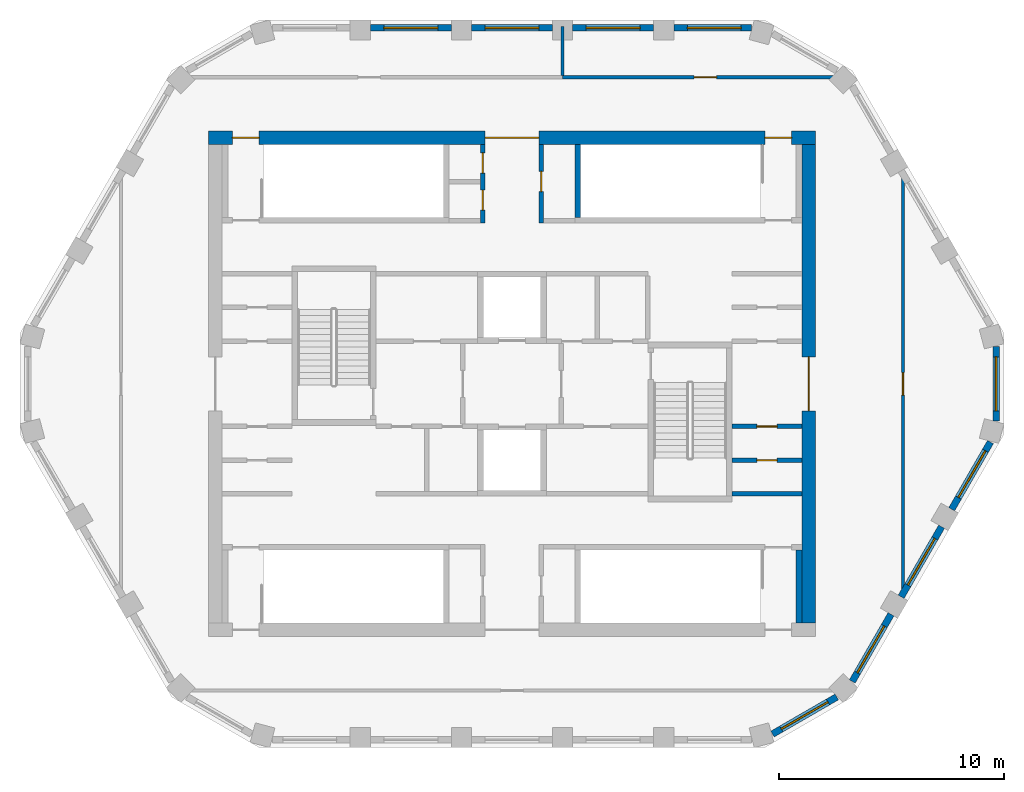
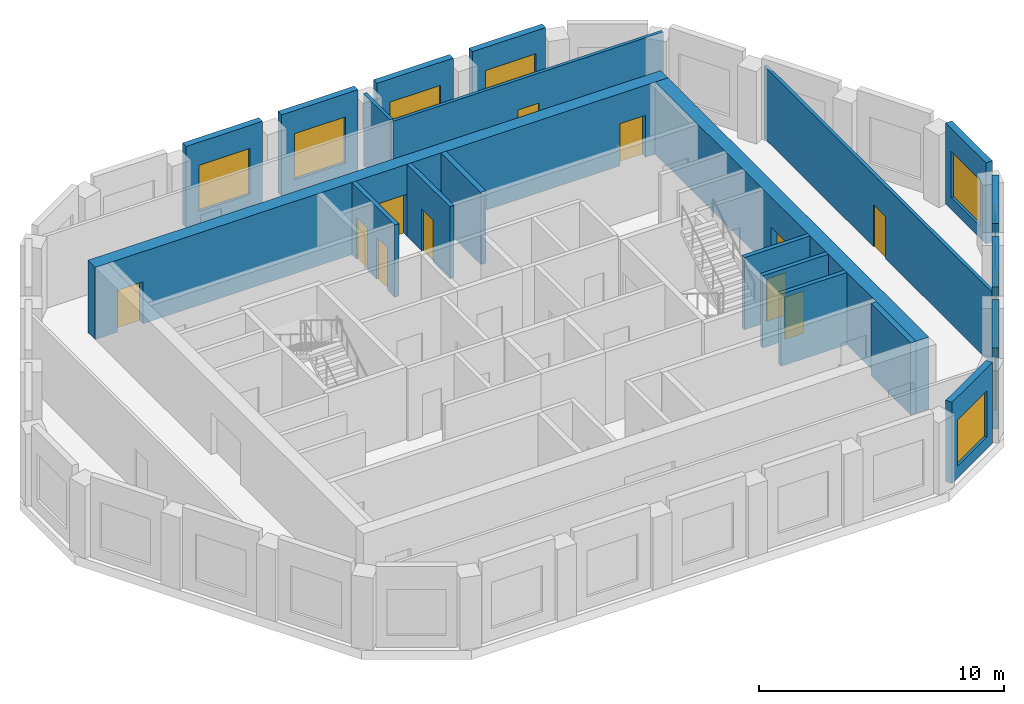
# One storey, part 4 of 6: 21 walls, 11 doors, 9 windows, 20 openings.
"""IFC4 building model written with IfcOpenShell, lengths in metres."""

from ifc_helpers import new_model, si_unit, direction, frame, frame_2d, origin, place, context, subcontext, project, spatial, rectangle, extrude, material, layer, layer_set, type_object, element, fill, save


model = new_model("IFC4")

# Units and contexts
model_context = context("Model", 3, precision=1e-05, world=origin(), true_north=direction((0.0, 1.0)))
body_context = subcontext(model_context, "Body", "Model", "MODEL_VIEW")
ifc_project = project(units=[si_unit("LENGTHUNIT", "METRE"), si_unit("AREAUNIT", "SQUARE_METRE"), si_unit("VOLUMEUNIT", "CUBIC_METRE"), si_unit("PLANEANGLEUNIT", "RADIAN"), si_unit("MASSUNIT", "GRAM", prefix="KILO")], contexts=[model_context])

# Site, building, storey
site_placement = place(None, origin())
site = spatial("IfcSite", under=ifc_project, at=site_placement, CompositionType="ELEMENT")
building_placement = place(site_placement, origin())
building = spatial("IfcBuilding", under=site, at=building_placement, Name="Dhurran Vertical Campus", CompositionType="ELEMENT")
storey_placement = place(building_placement, frame((0.0, 0.0, 318.89990234375)))
storey = spatial("IfcBuildingStorey", under=building, at=storey_placement, Name="L78 Plant", CompositionType="ELEMENT", Elevation=318.89990234375)

# Wall, opening, window
ifc_material_1 = material(Name="Precast concrete C50/60", Category="concrete")
ifc_layer_1 = layer(ifc_material_1, 0.300048828125)
ifc_layer_set_1 = layer_set([ifc_layer_1], Name="Precast concrete C50/60")
wall_type_1 = type_object("IfcWallType", Name="Precast louvre-bay wall 300", PredefinedType="SOLIDWALL", material=ifc_layer_set_1)
wall_1_placement = place(storey_placement, frame((11.5947265625, -15.588134765625, 0.0), z_axis=(0.0, 0.0, 1.0), x_axis=(0.866021716278, 0.500006386895, 0.0)))
wall_1 = element("IfcWall", 1, at=wall_1_placement, inside=storey, type_object=wall_type_1, Name="EW3 L78.05", PredefinedType="SOLIDWALL", context=body_context, shape_type="SweptSolid", body=[
    extrude(rectangle(XDim=3.2998046875, YDim=0.300048828125, at=frame_2d((1.64990234375, 0.0))), origin(), (0.0, 0.0, 1.0), 4.050048828125),
])
opening_1_placement = place(wall_1_placement, frame((0.449951171875, 0.0, 0.60009765625)))
opening_1 = element("IfcOpeningElement", 2, at=opening_1_placement, cuts=wall_1, Name="Opening WT4", PredefinedType="OPENING", context=body_context, shape_type="SweptSolid", body=[
    extrude(rectangle(XDim=2.39990234375, YDim=2.300048828125, at=frame_2d((1.199951171875, 1.14990234375))), frame((0.0, 0.159912109375, 0.0), z_axis=(0.0, -1.0, 0.0), x_axis=(1.0, 0.0, 0.0)), (0.0, 0.0, 1.0), 0.320068359375),
])
ifc_material_2 = material(Name="Aluminium louvre", Category="aluminium")
window_type = type_object("IfcWindowType", Name="Louvred plant vent 2400 x 2300", PartitioningType="SINGLE_PANEL", PredefinedType="WINDOW", material=ifc_material_2)
window_1_placement = place(opening_1_placement, origin())
window_1 = element("IfcWindow", 3, at=window_1_placement, inside=storey, type_object=window_type, Name="WT4 L78.05", OverallHeight=2.300048828125, OverallWidth=2.39990234375, PartitioningType="SINGLE_PANEL", PredefinedType="WINDOW", context=body_context, shape_type="SweptSolid", body=[
    extrude(rectangle(XDim=2.39990234375, YDim=2.300048828125, at=frame_2d((1.199951171875, 1.14990234375))), frame((0.0, 0.030029296875, 0.0), z_axis=(0.0, -1.0, 0.0), x_axis=(1.0, 0.0, 0.0)), (0.0, 0.0, 1.0), 0.06005859375),
])
fill(opening_1, window_1)

wall_2_placement = place(storey_placement, frame((15.14404296875, -13.24658203125, 0.0), z_axis=(0.0, 0.0, 1.0), x_axis=(0.500059425018, 0.865991092016, 0.0)))
wall_2 = element("IfcWall", 4, at=wall_2_placement, inside=storey, type_object=wall_type_1, Name="EW3 L78.06", PredefinedType="SOLIDWALL", context=body_context, shape_type="SweptSolid", body=[
    extrude(rectangle(XDim=3.44921875, YDim=0.300048828125, at=frame_2d((1.724609375, 0.0))), origin(), (0.0, 0.0, 1.0), 4.050048828125),
])
opening_2_placement = place(wall_2_placement, frame((0.449951171875, 0.0, 0.60009765625)))
opening_2 = element("IfcOpeningElement", 5, at=opening_2_placement, cuts=wall_2, Name="Opening WT4", PredefinedType="OPENING", context=body_context, shape_type="SweptSolid", body=[
    extrude(rectangle(XDim=2.39990234375, YDim=2.300048828125, at=frame_2d((1.199951171875, 1.14990234375))), frame((0.0, 0.159912109375, 0.0), z_axis=(0.0, -1.0, 0.0), x_axis=(1.0, 0.0, 0.0)), (0.0, 0.0, 1.0), 0.320068359375),
])
window_2_placement = place(opening_2_placement, origin())
window_2 = element("IfcWindow", 6, at=window_2_placement, inside=storey, type_object=window_type, Name="WT4 L78.06", OverallHeight=2.300048828125, OverallWidth=2.39990234375, PartitioningType="SINGLE_PANEL", PredefinedType="WINDOW", context=body_context, shape_type="SweptSolid", body=[
    extrude(rectangle(XDim=2.39990234375, YDim=2.300048828125, at=frame_2d((1.199951171875, 1.14990234375))), frame((0.0, 0.030029296875, 0.0), z_axis=(0.0, -1.0, 0.0), x_axis=(1.0, 0.0, 0.0)), (0.0, 0.0, 1.0), 0.06005859375),
])
fill(opening_2, window_2)

wall_3_placement = place(storey_placement, frame((17.3193359375, -9.47900390625, 0.0), z_axis=(0.0, 0.0, 1.0), x_axis=(0.500027802648, 0.866009351323, 0.0)))
wall_3 = element("IfcWall", 7, at=wall_3_placement, inside=storey, type_object=wall_type_1, Name="EW3 L78.07", PredefinedType="SOLIDWALL", context=body_context, shape_type="SweptSolid", body=[
    extrude(rectangle(XDim=3.598876953125, YDim=0.300048828125, at=frame_2d((1.79931640625, 0.0))), origin(), (0.0, 0.0, 1.0), 4.050048828125),
])
opening_3_placement = place(wall_3_placement, frame((0.599609375, 0.0, 0.60009765625)))
opening_3 = element("IfcOpeningElement", 8, at=opening_3_placement, cuts=wall_3, Name="Opening WT4", PredefinedType="OPENING", context=body_context, shape_type="SweptSolid", body=[
    extrude(rectangle(XDim=2.39990234375, YDim=2.300048828125, at=frame_2d((1.199951171875, 1.14990234375))), frame((0.0, 0.159912109375, 0.0), z_axis=(0.0, -1.0, 0.0), x_axis=(1.0, 0.0, 0.0)), (0.0, 0.0, 1.0), 0.320068359375),
])
window_3_placement = place(opening_3_placement, origin())
window_3 = element("IfcWindow", 9, at=window_3_placement, inside=storey, type_object=window_type, Name="WT4 L78.07", OverallHeight=2.300048828125, OverallWidth=2.39990234375, PartitioningType="SINGLE_PANEL", PredefinedType="WINDOW", context=body_context, shape_type="SweptSolid", body=[
    extrude(rectangle(XDim=2.39990234375, YDim=2.300048828125, at=frame_2d((1.199951171875, 1.14990234375))), frame((0.0, 0.030029296875, 0.0), z_axis=(0.0, -1.0, 0.0), x_axis=(1.0, 0.0, 0.0)), (0.0, 0.0, 1.0), 0.06005859375),
])
fill(opening_3, window_3)

wall_4_placement = place(storey_placement, frame((19.5693359375, -5.58203125, 0.0), z_axis=(0.0, 0.0, 1.0), x_axis=(0.499975693202, 0.866039436866, 0.0)))
wall_4 = element("IfcWall", 10, at=wall_4_placement, inside=storey, type_object=wall_type_1, Name="EW3 L78.08", PredefinedType="SOLIDWALL", context=body_context, shape_type="SweptSolid", body=[
    extrude(rectangle(XDim=3.449462890625, YDim=0.300048828125, at=frame_2d((1.724609375, 0.0))), origin(), (0.0, 0.0, 1.0), 4.050048828125),
])
opening_4_placement = place(wall_4_placement, frame((0.599609375, 0.0, 0.60009765625)))
opening_4 = element("IfcOpeningElement", 11, at=opening_4_placement, cuts=wall_4, Name="Opening WT4", PredefinedType="OPENING", context=body_context, shape_type="SweptSolid", body=[
    extrude(rectangle(XDim=2.39990234375, YDim=2.300048828125, at=frame_2d((1.199951171875, 1.14990234375))), frame((0.0, 0.159912109375, 0.0), z_axis=(0.0, -1.0, 0.0), x_axis=(1.0, 0.0, 0.0)), (0.0, 0.0, 1.0), 0.320068359375),
])
window_4_placement = place(opening_4_placement, origin())
window_4 = element("IfcWindow", 12, at=window_4_placement, inside=storey, type_object=window_type, Name="WT4 L78.08", OverallHeight=2.300048828125, OverallWidth=2.39990234375, PartitioningType="SINGLE_PANEL", PredefinedType="WINDOW", context=body_context, shape_type="SweptSolid", body=[
    extrude(rectangle(XDim=2.39990234375, YDim=2.300048828125, at=frame_2d((1.199951171875, 1.14990234375))), frame((0.0, 0.030029296875, 0.0), z_axis=(0.0, -1.0, 0.0), x_axis=(1.0, 0.0, 0.0)), (0.0, 0.0, 1.0), 0.06005859375),
])
fill(opening_4, window_4)

wall_5_placement = place(storey_placement, frame((21.547119140625, -1.64990234375, 0.0), z_axis=(0.0, 0.0, 1.0), x_axis=(0.0, 1.0, 0.0)))
wall_5 = element("IfcWall", 13, at=wall_5_placement, inside=storey, type_object=wall_type_1, Name="EW3 L78.09", PredefinedType="SOLIDWALL", context=body_context, shape_type="SweptSolid", body=[
    extrude(rectangle(XDim=3.2998046875, YDim=0.300048828125, at=frame_2d((1.64990234375, 0.0))), origin(), (0.0, 0.0, 1.0), 4.050048828125),
])
opening_5_placement = place(wall_5_placement, frame((0.449951171875, 0.0, 0.60009765625)))
opening_5 = element("IfcOpeningElement", 14, at=opening_5_placement, cuts=wall_5, Name="Opening WT4", PredefinedType="OPENING", context=body_context, shape_type="SweptSolid", body=[
    extrude(rectangle(XDim=2.39990234375, YDim=2.300048828125, at=frame_2d((1.199951171875, 1.14990234375))), frame((0.0, 0.159912109375, 0.0), z_axis=(0.0, -1.0, 0.0), x_axis=(1.0, 0.0, 0.0)), (0.0, 0.0, 1.0), 0.320068359375),
])
window_5_placement = place(opening_5_placement, origin())
window_5 = element("IfcWindow", 15, at=window_5_placement, inside=storey, type_object=window_type, Name="WT4 L78.09", OverallHeight=2.300048828125, OverallWidth=2.39990234375, PartitioningType="SINGLE_PANEL", PredefinedType="WINDOW", context=body_context, shape_type="SweptSolid", body=[
    extrude(rectangle(XDim=2.39990234375, YDim=2.300048828125, at=frame_2d((1.199951171875, 1.14990234375))), frame((0.0, 0.030029296875, 0.0), z_axis=(0.0, -1.0, 0.0), x_axis=(1.0, 0.0, 0.0)), (0.0, 0.0, 1.0), 0.06005859375),
])
fill(opening_5, window_5)

wall_6_placement = place(storey_placement, frame((10.64990234375, 15.84130859375, 0.0), z_axis=(0.0, 0.0, 1.0), x_axis=(-1.0, 0.0, 0.0)))
wall_6 = element("IfcWall", 16, at=wall_6_placement, inside=storey, type_object=wall_type_1, Name="EW3 L78.14", PredefinedType="SOLIDWALL", context=body_context, shape_type="SweptSolid", body=[
    extrude(rectangle(XDim=3.449462890625, YDim=0.300048828125, at=frame_2d((1.724609375, 0.0))), origin(), (0.0, 0.0, 1.0), 4.050048828125),
])
opening_6_placement = place(wall_6_placement, frame((0.449951171875, 0.0, 0.60009765625)))
opening_6 = element("IfcOpeningElement", 17, at=opening_6_placement, cuts=wall_6, Name="Opening WT4", PredefinedType="OPENING", context=body_context, shape_type="SweptSolid", body=[
    extrude(rectangle(XDim=2.39990234375, YDim=2.300048828125, at=frame_2d((1.199951171875, 1.14990234375))), frame((0.0, 0.159912109375, 0.0), z_axis=(0.0, -1.0, 0.0), x_axis=(1.0, 0.0, 0.0)), (0.0, 0.0, 1.0), 0.320068359375),
])
window_6_placement = place(opening_6_placement, origin())
window_6 = element("IfcWindow", 18, at=window_6_placement, inside=storey, type_object=window_type, Name="WT4 L78.14", OverallHeight=2.300048828125, OverallWidth=2.39990234375, PartitioningType="SINGLE_PANEL", PredefinedType="WINDOW", context=body_context, shape_type="SweptSolid", body=[
    extrude(rectangle(XDim=2.39990234375, YDim=2.300048828125, at=frame_2d((1.199951171875, 1.14990234375))), frame((0.0, 0.030029296875, 0.0), z_axis=(0.0, -1.0, 0.0), x_axis=(1.0, 0.0, 0.0)), (0.0, 0.0, 1.0), 0.06005859375),
])
fill(opening_6, window_6)

wall_7_placement = place(storey_placement, frame((6.299560546875, 15.84130859375, 0.0), z_axis=(0.0, 0.0, 1.0), x_axis=(-1.0, 0.0, 0.0)))
wall_7 = element("IfcWall", 19, at=wall_7_placement, inside=storey, type_object=wall_type_1, Name="EW3 L78.15", PredefinedType="SOLIDWALL", context=body_context, shape_type="SweptSolid", body=[
    extrude(rectangle(XDim=3.59912109375, YDim=0.300048828125, at=frame_2d((1.799560546875, 0.0))), origin(), (0.0, 0.0, 1.0), 4.050048828125),
])
opening_7_placement = place(wall_7_placement, frame((0.599609375, 0.0, 0.60009765625)))
opening_7 = element("IfcOpeningElement", 20, at=opening_7_placement, cuts=wall_7, Name="Opening WT4", PredefinedType="OPENING", context=body_context, shape_type="SweptSolid", body=[
    extrude(rectangle(XDim=2.39990234375, YDim=2.300048828125, at=frame_2d((1.199951171875, 1.14990234375))), frame((0.0, 0.159912109375, 0.0), z_axis=(0.0, -1.0, 0.0), x_axis=(1.0, 0.0, 0.0)), (0.0, 0.0, 1.0), 0.320068359375),
])
window_7_placement = place(opening_7_placement, origin())
window_7 = element("IfcWindow", 21, at=window_7_placement, inside=storey, type_object=window_type, Name="WT4 L78.15", OverallHeight=2.300048828125, OverallWidth=2.39990234375, PartitioningType="SINGLE_PANEL", PredefinedType="WINDOW", context=body_context, shape_type="SweptSolid", body=[
    extrude(rectangle(XDim=2.39990234375, YDim=2.300048828125, at=frame_2d((1.199951171875, 1.14990234375))), frame((0.0, 0.030029296875, 0.0), z_axis=(0.0, -1.0, 0.0), x_axis=(1.0, 0.0, 0.0)), (0.0, 0.0, 1.0), 0.06005859375),
])
fill(opening_7, window_7)

wall_8_placement = place(storey_placement, frame((1.799560546875, 15.84130859375, 0.0), z_axis=(0.0, 0.0, 1.0), x_axis=(-1.0, 0.0, 0.0)))
wall_8 = element("IfcWall", 22, at=wall_8_placement, inside=storey, type_object=wall_type_1, Name="EW3 L78.16", PredefinedType="SOLIDWALL", context=body_context, shape_type="SweptSolid", body=[
    extrude(rectangle(XDim=3.59912109375, YDim=0.300048828125, at=frame_2d((1.799560546875, 0.0))), origin(), (0.0, 0.0, 1.0), 4.050048828125),
])
opening_8_placement = place(wall_8_placement, frame((0.599609375, 0.0, 0.60009765625)))
opening_8 = element("IfcOpeningElement", 23, at=opening_8_placement, cuts=wall_8, Name="Opening WT4", PredefinedType="OPENING", context=body_context, shape_type="SweptSolid", body=[
    extrude(rectangle(XDim=2.39990234375, YDim=2.300048828125, at=frame_2d((1.199951171875, 1.14990234375))), frame((0.0, 0.159912109375, 0.0), z_axis=(0.0, -1.0, 0.0), x_axis=(1.0, 0.0, 0.0)), (0.0, 0.0, 1.0), 0.320068359375),
])
window_8_placement = place(opening_8_placement, origin())
window_8 = element("IfcWindow", 24, at=window_8_placement, inside=storey, type_object=window_type, Name="WT4 L78.16", OverallHeight=2.300048828125, OverallWidth=2.39990234375, PartitioningType="SINGLE_PANEL", PredefinedType="WINDOW", context=body_context, shape_type="SweptSolid", body=[
    extrude(rectangle(XDim=2.39990234375, YDim=2.300048828125, at=frame_2d((1.199951171875, 1.14990234375))), frame((0.0, 0.030029296875, 0.0), z_axis=(0.0, -1.0, 0.0), x_axis=(1.0, 0.0, 0.0)), (0.0, 0.0, 1.0), 0.06005859375),
])
fill(opening_8, window_8)

wall_9_placement = place(storey_placement, frame((-2.700439453125, 15.84130859375, 0.0), z_axis=(0.0, 0.0, 1.0), x_axis=(-1.0, 0.0, 0.0)))
wall_9 = element("IfcWall", 25, at=wall_9_placement, inside=storey, type_object=wall_type_1, Name="EW3 L78.17", PredefinedType="SOLIDWALL", context=body_context, shape_type="SweptSolid", body=[
    extrude(rectangle(XDim=3.59912109375, YDim=0.300048828125, at=frame_2d((1.799560546875, 0.0))), origin(), (0.0, 0.0, 1.0), 4.050048828125),
])
opening_9_placement = place(wall_9_placement, frame((0.599609375, 0.0, 0.60009765625)))
opening_9 = element("IfcOpeningElement", 26, at=opening_9_placement, cuts=wall_9, Name="Opening WT4", PredefinedType="OPENING", context=body_context, shape_type="SweptSolid", body=[
    extrude(rectangle(XDim=2.39990234375, YDim=2.300048828125, at=frame_2d((1.199951171875, 1.14990234375))), frame((0.0, 0.159912109375, 0.0), z_axis=(0.0, -1.0, 0.0), x_axis=(1.0, 0.0, 0.0)), (0.0, 0.0, 1.0), 0.320068359375),
])
window_9_placement = place(opening_9_placement, origin())
window_9 = element("IfcWindow", 27, at=window_9_placement, inside=storey, type_object=window_type, Name="WT4 L78.17", OverallHeight=2.300048828125, OverallWidth=2.39990234375, PartitioningType="SINGLE_PANEL", PredefinedType="WINDOW", context=body_context, shape_type="SweptSolid", body=[
    extrude(rectangle(XDim=2.39990234375, YDim=2.300048828125, at=frame_2d((1.199951171875, 1.14990234375))), frame((0.0, 0.030029296875, 0.0), z_axis=(0.0, -1.0, 0.0), x_axis=(1.0, 0.0, 0.0)), (0.0, 0.0, 1.0), 0.06005859375),
])
fill(opening_9, window_9)

# Wall, openings, doors
ifc_material_3 = material(Name="Concrete C50/60", Category="concrete")
ifc_layer_2 = layer(ifc_material_3, 0.60009765625)
ifc_layer_set_2 = layer_set([ifc_layer_2], Name="Concrete C50/60")
wall_type_2 = type_object("IfcWallType", Name="co-CORE-WALL-C2-600", PredefinedType="SHEAR", material=ifc_layer_set_2)
wall_10_placement = place(storey_placement, frame((-13.5, 10.949951171875, 0.0), z_axis=(0.0, 0.0, 1.0), x_axis=(1.0, 0.0, 0.0)))
wall_10 = element("IfcWall", 28, at=wall_10_placement, inside=storey, type_object=wall_type_2, Name="Core wall N L78", PredefinedType="SHEAR", context=body_context, shape_type="SweptSolid", body=[
    extrude(rectangle(XDim=27.0, YDim=0.60009765625, at=frame_2d((13.5, 0.0))), origin(), (0.0, 0.0, 1.0), 3.60009765625),
])
opening_10_placement = place(wall_10_placement, frame((12.300048828125, 0.0, 0.0)))
opening_10 = element("IfcOpeningElement", 29, at=opening_10_placement, cuts=wall_10, Name="Opening CV1", PredefinedType="OPENING", context=body_context, shape_type="SweptSolid", body=[
    extrude(rectangle(XDim=2.39990234375, YDim=2.10009765625, at=frame_2d((1.199951171875, 1.050048828125))), frame((0.0, 0.31005859375, 0.0), z_axis=(0.0, -1.0, 0.0), x_axis=(1.0, 0.0, 0.0)), (0.0, 0.0, 1.0), 0.6201171875),
])
opening_11_placement = place(wall_10_placement, frame((1.050048828125, 0.0, 0.0)))
opening_11 = element("IfcOpeningElement", 30, at=opening_11_placement, cuts=wall_10, Name="Opening XD1", PredefinedType="OPENING", context=body_context, shape_type="SweptSolid", body=[
    extrude(rectangle(XDim=1.199951171875, YDim=2.10009765625, at=frame_2d((0.60009765625, 1.050048828125))), frame((0.0, 0.31005859375, 0.0), z_axis=(0.0, -1.0, 0.0), x_axis=(1.0, 0.0, 0.0)), (0.0, 0.0, 1.0), 0.6201171875),
])
opening_12_placement = place(wall_10_placement, frame((24.75, 0.0, 0.0)))
opening_12 = element("IfcOpeningElement", 31, at=opening_12_placement, cuts=wall_10, Name="Opening XD2", PredefinedType="OPENING", context=body_context, shape_type="SweptSolid", body=[
    extrude(rectangle(XDim=1.199951171875, YDim=2.10009765625, at=frame_2d((0.60009765625, 1.050048828125))), frame((0.0, 0.31005859375, 0.0), z_axis=(0.0, -1.0, 0.0), x_axis=(1.0, 0.0, 0.0)), (0.0, 0.0, 1.0), 0.6201171875),
])
ifc_material_4 = material(Name="Fire-rated glazed door set")
door_type_1 = type_object("IfcDoorType", Name="co-D-LOBBY 2400x2100", OperationType="DOUBLE_DOOR_DOUBLE_SWING", PredefinedType="DOOR", material=ifc_material_4)
door_1_placement = place(opening_10_placement, origin())
door_1 = element("IfcDoor", 32, at=door_1_placement, inside=storey, type_object=door_type_1, Name="Core vestibule door N L78", OperationType="DOUBLE_DOOR_DOUBLE_SWING", OverallHeight=2.10009765625, OverallWidth=2.39990234375, PredefinedType="DOOR", context=body_context, shape_type="SweptSolid", body=[
    extrude(rectangle(XDim=2.39990234375, YDim=2.10009765625, at=frame_2d((1.199951171875, 1.050048828125))), frame((0.0, 0.02490234375, 0.0), z_axis=(0.0, -1.0, 0.0), x_axis=(1.0, 0.0, 0.0)), (0.0, 0.0, 1.0), 0.050048828125),
])
fill(opening_10, door_1)
ifc_material_5 = material(Name="Fire-rated steel door set", Category="steel")
door_type_2 = type_object("IfcDoorType", Name="co-D-STAIR-EXIT 1200x2100", OperationType="SINGLE_SWING_RIGHT", PredefinedType="DOOR", material=ifc_material_5)
door_2_placement = place(opening_11_placement, origin())
door_2 = element("IfcDoor", 33, at=door_2_placement, inside=storey, type_object=door_type_2, Name="Stair ST1 exit door L78", OperationType="SINGLE_SWING_RIGHT", OverallHeight=2.10009765625, OverallWidth=1.199951171875, PredefinedType="DOOR", context=body_context, shape_type="SweptSolid", body=[
    extrude(rectangle(XDim=1.199951171875, YDim=2.10009765625, at=frame_2d((0.60009765625, 1.050048828125))), frame((0.0, 0.02490234375, 0.0), z_axis=(0.0, -1.0, 0.0), x_axis=(1.0, 0.0, 0.0)), (0.0, 0.0, 1.0), 0.050048828125),
])
fill(opening_11, door_2)
door_3_placement = place(opening_12_placement, origin())
door_3 = element("IfcDoor", 34, at=door_3_placement, inside=storey, type_object=door_type_2, Name="Stair ST2 exit door L78", OperationType="SINGLE_SWING_RIGHT", OverallHeight=2.10009765625, OverallWidth=1.199951171875, PredefinedType="DOOR", context=body_context, shape_type="SweptSolid", body=[
    extrude(rectangle(XDim=1.199951171875, YDim=2.10009765625, at=frame_2d((0.60009765625, 1.050048828125))), frame((0.0, 0.02490234375, 0.0), z_axis=(0.0, -1.0, 0.0), x_axis=(1.0, 0.0, 0.0)), (0.0, 0.0, 1.0), 0.050048828125),
])
fill(opening_12, door_3)

# Wall, opening, door
wall_11_placement = place(storey_placement, frame((13.199951171875, -10.64990234375, 0.0), z_axis=(0.0, 0.0, 1.0), x_axis=(0.0, 1.0, 0.0)))
wall_11 = element("IfcWall", 35, at=wall_11_placement, inside=storey, type_object=wall_type_2, Name="Core wall E L78", PredefinedType="SHEAR", context=body_context, shape_type="SweptSolid", body=[
    extrude(rectangle(XDim=21.2998046875, YDim=0.60009765625, at=frame_2d((10.64990234375, 0.0))), origin(), (0.0, 0.0, 1.0), 3.60009765625),
])
opening_13_placement = place(wall_11_placement, frame((9.449951171875, 0.0, 0.0)))
opening_13 = element("IfcOpeningElement", 36, at=opening_13_placement, cuts=wall_11, Name="Opening CL2", PredefinedType="OPENING", context=body_context, shape_type="SweptSolid", body=[
    extrude(rectangle(XDim=2.39990234375, YDim=2.10009765625, at=frame_2d((1.199951171875, 1.050048828125))), frame((0.0, 0.31005859375, 0.0), z_axis=(0.0, -1.0, 0.0), x_axis=(1.0, 0.0, 0.0)), (0.0, 0.0, 1.0), 0.6201171875),
])
door_4_placement = place(opening_13_placement, origin())
door_4 = element("IfcDoor", 37, at=door_4_placement, inside=storey, type_object=door_type_1, Name="Lift lobby door E L78", OperationType="DOUBLE_DOOR_DOUBLE_SWING", OverallHeight=2.10009765625, OverallWidth=2.39990234375, PredefinedType="DOOR", context=body_context, shape_type="SweptSolid", body=[
    extrude(rectangle(XDim=2.39990234375, YDim=2.10009765625, at=frame_2d((1.199951171875, 1.050048828125))), frame((0.0, 0.02490234375, 0.0), z_axis=(0.0, -1.0, 0.0), x_axis=(1.0, 0.0, 0.0)), (0.0, 0.0, 1.0), 0.050048828125),
])
fill(opening_13, door_4)

# Wall, openings, doors
ifc_material_6 = material(Name="Fire-rated masonry blockwork", Category="masonry")
ifc_layer_3 = layer(ifc_material_6, 0.199951171875)
ifc_layer_set_3 = layer_set([ifc_layer_3], Name="Fire-rated masonry blockwork")
wall_type_3 = type_object("IfcWallType", Name="co-FIRE-PARTITION-200", PredefinedType="PARTITIONING", material=ifc_layer_set_3)
wall_12_placement = place(storey_placement, frame((-1.300048828125, 7.14990234375, 0.0), z_axis=(0.0, 0.0, 1.0), x_axis=(0.0, 1.0, 0.0)))
wall_12 = element("IfcWall", 38, at=wall_12_placement, inside=storey, type_object=wall_type_3, Name="Core partition vest-NW L78", PredefinedType="PARTITIONING", context=body_context, shape_type="SweptSolid", body=[
    extrude(rectangle(XDim=3.5, YDim=0.199951171875, at=frame_2d((1.75, 0.0))), origin(), (0.0, 0.0, 1.0), 3.60009765625),
])
opening_14_placement = place(wall_12_placement, frame((0.574951171875, 0.0, 0.0)))
opening_14 = element("IfcOpeningElement", 39, at=opening_14_placement, cuts=wall_12, Name="Opening CR78-C3", PredefinedType="OPENING", context=body_context, shape_type="SweptSolid", body=[
    extrude(rectangle(XDim=0.89990234375, YDim=2.10009765625, at=frame_2d((0.449951171875, 1.050048828125))), frame((0.0, 0.10986328125, 0.0), z_axis=(0.0, -1.0, 0.0), x_axis=(1.0, 0.0, 0.0)), (0.0, 0.0, 1.0), 0.219970703125),
])
opening_15_placement = place(wall_12_placement, frame((2.22509765625, 0.0, 0.0)))
opening_15 = element("IfcOpeningElement", 40, at=opening_15_placement, cuts=wall_12, Name="Opening CR78-C4", PredefinedType="OPENING", context=body_context, shape_type="SweptSolid", body=[
    extrude(rectangle(XDim=0.89990234375, YDim=2.10009765625, at=frame_2d((0.449951171875, 1.050048828125))), frame((0.0, 0.10986328125, 0.0), z_axis=(0.0, -1.0, 0.0), x_axis=(1.0, 0.0, 0.0)), (0.0, 0.0, 1.0), 0.219970703125),
])
ifc_material_7 = material(Name="Fire-rated timber door set", Category="wood")
door_type_3 = type_object("IfcDoorType", Name="co-D-ROOM 900x2100", OperationType="SINGLE_SWING_LEFT", PredefinedType="DOOR", material=ifc_material_7)
door_5_placement = place(opening_14_placement, origin())
door_5 = element("IfcDoor", 41, at=door_5_placement, inside=storey, type_object=door_type_3, Name="Store door L78", OperationType="SINGLE_SWING_LEFT", OverallHeight=2.10009765625, OverallWidth=0.89990234375, PredefinedType="DOOR", context=body_context, shape_type="SweptSolid", body=[
    extrude(rectangle(XDim=0.89990234375, YDim=2.10009765625, at=frame_2d((0.449951171875, 1.050048828125))), frame((0.0, 0.02490234375, 0.0), z_axis=(0.0, -1.0, 0.0), x_axis=(1.0, 0.0, 0.0)), (0.0, 0.0, 1.0), 0.050048828125),
])
fill(opening_14, door_5)
door_6_placement = place(opening_15_placement, origin())
door_6 = element("IfcDoor", 42, at=door_6_placement, inside=storey, type_object=door_type_3, Name="Communications room door L78", OperationType="SINGLE_SWING_LEFT", OverallHeight=2.10009765625, OverallWidth=0.89990234375, PredefinedType="DOOR", context=body_context, shape_type="SweptSolid", body=[
    extrude(rectangle(XDim=0.89990234375, YDim=2.10009765625, at=frame_2d((0.449951171875, 1.050048828125))), frame((0.0, 0.02490234375, 0.0), z_axis=(0.0, -1.0, 0.0), x_axis=(1.0, 0.0, 0.0)), (0.0, 0.0, 1.0), 0.050048828125),
])
fill(opening_15, door_6)

# Wall, opening, door
wall_13_placement = place(storey_placement, frame((1.300048828125, 7.14990234375, 0.0), z_axis=(0.0, 0.0, 1.0), x_axis=(0.0, 1.0, 0.0)))
wall_13 = element("IfcWall", 43, at=wall_13_placement, inside=storey, type_object=wall_type_3, Name="Core partition vest-NE L78", PredefinedType="PARTITIONING", context=body_context, shape_type="SweptSolid", body=[
    extrude(rectangle(XDim=3.5, YDim=0.199951171875, at=frame_2d((1.75, 0.0))), origin(), (0.0, 0.0, 1.0), 3.60009765625),
])
opening_16_placement = place(wall_13_placement, frame((1.39990234375, 0.0, 0.0)))
opening_16 = element("IfcOpeningElement", 44, at=opening_16_placement, cuts=wall_13, Name="Opening CR78-C5", PredefinedType="OPENING", context=body_context, shape_type="SweptSolid", body=[
    extrude(rectangle(XDim=0.89990234375, YDim=2.10009765625, at=frame_2d((0.449951171875, 1.050048828125))), frame((0.0, 0.10986328125, 0.0), z_axis=(0.0, -1.0, 0.0), x_axis=(1.0, 0.0, 0.0)), (0.0, 0.0, 1.0), 0.219970703125),
])
door_7_placement = place(opening_16_placement, origin())
door_7 = element("IfcDoor", 45, at=door_7_placement, inside=storey, type_object=door_type_3, Name="Waste room door L78", OperationType="SINGLE_SWING_LEFT", OverallHeight=2.10009765625, OverallWidth=0.89990234375, PredefinedType="DOOR", context=body_context, shape_type="SweptSolid", body=[
    extrude(rectangle(XDim=0.89990234375, YDim=2.10009765625, at=frame_2d((0.449951171875, 1.050048828125))), frame((0.0, 0.02490234375, 0.0), z_axis=(0.0, -1.0, 0.0), x_axis=(1.0, 0.0, 0.0)), (0.0, 0.0, 1.0), 0.050048828125),
])
fill(opening_16, door_7)

wall_14_placement = place(storey_placement, frame((9.800048828125, -3.39990234375, 0.0), z_axis=(0.0, 0.0, 1.0), x_axis=(1.0, 0.0, 0.0)))
wall_14 = element("IfcWall", 46, at=wall_14_placement, inside=storey, type_object=wall_type_3, Name="Core partition fr-S3-c L78", PredefinedType="PARTITIONING", context=body_context, shape_type="SweptSolid", body=[
    extrude(rectangle(XDim=3.099853515625, YDim=0.199951171875, at=frame_2d((1.5498046875, 0.0))), origin(), (0.0, 0.0, 1.0), 3.60009765625),
])
opening_17_placement = place(wall_14_placement, frame((1.10009765625, 0.0, 0.0)))
opening_17 = element("IfcOpeningElement", 47, at=opening_17_placement, cuts=wall_14, Name="Opening CR78-C18", PredefinedType="OPENING", context=body_context, shape_type="SweptSolid", body=[
    extrude(rectangle(XDim=0.89990234375, YDim=2.10009765625, at=frame_2d((0.449951171875, 1.050048828125))), frame((0.0, 0.10986328125, 0.0), z_axis=(0.0, -1.0, 0.0), x_axis=(1.0, 0.0, 0.0)), (0.0, 0.0, 1.0), 0.219970703125),
])
door_8_placement = place(opening_17_placement, origin())
door_8 = element("IfcDoor", 48, at=door_8_placement, inside=storey, type_object=door_type_3, Name="Plant room door L78", OperationType="SINGLE_SWING_LEFT", OverallHeight=2.10009765625, OverallWidth=0.89990234375, PredefinedType="DOOR", context=body_context, shape_type="SweptSolid", body=[
    extrude(rectangle(XDim=0.89990234375, YDim=2.10009765625, at=frame_2d((0.449951171875, 1.050048828125))), frame((0.0, 0.02490234375, 0.0), z_axis=(0.0, -1.0, 0.0), x_axis=(1.0, 0.0, 0.0)), (0.0, 0.0, 1.0), 0.050048828125),
])
fill(opening_17, door_8)

wall_15_placement = place(storey_placement, frame((9.800048828125, -1.89990234375, 0.0), z_axis=(0.0, 0.0, 1.0), x_axis=(1.0, 0.0, 0.0)))
wall_15 = element("IfcWall", 49, at=wall_15_placement, inside=storey, type_object=wall_type_3, Name="Core partition fr-S3-f L78", PredefinedType="PARTITIONING", context=body_context, shape_type="SweptSolid", body=[
    extrude(rectangle(XDim=3.099853515625, YDim=0.199951171875, at=frame_2d((1.5498046875, 0.0))), origin(), (0.0, 0.0, 1.0), 3.60009765625),
])
opening_18_placement = place(wall_15_placement, frame((1.10009765625, 0.0, 0.0)))
opening_18 = element("IfcOpeningElement", 50, at=opening_18_placement, cuts=wall_15, Name="Opening CR78-C19", PredefinedType="OPENING", context=body_context, shape_type="SweptSolid", body=[
    extrude(rectangle(XDim=0.89990234375, YDim=2.10009765625, at=frame_2d((0.449951171875, 1.050048828125))), frame((0.0, 0.10986328125, 0.0), z_axis=(0.0, -1.0, 0.0), x_axis=(1.0, 0.0, 0.0)), (0.0, 0.0, 1.0), 0.219970703125),
])
door_9_placement = place(opening_18_placement, origin())
door_9 = element("IfcDoor", 51, at=door_9_placement, inside=storey, type_object=door_type_3, Name="Communications room door L78", OperationType="SINGLE_SWING_LEFT", OverallHeight=2.10009765625, OverallWidth=0.89990234375, PredefinedType="DOOR", context=body_context, shape_type="SweptSolid", body=[
    extrude(rectangle(XDim=0.89990234375, YDim=2.10009765625, at=frame_2d((0.449951171875, 1.050048828125))), frame((0.0, 0.02490234375, 0.0), z_axis=(0.0, -1.0, 0.0), x_axis=(1.0, 0.0, 0.0)), (0.0, 0.0, 1.0), 0.050048828125),
])
fill(opening_18, door_9)

# Walls
wall_16_placement = place(storey_placement, frame((9.800048828125, -4.89990234375, 0.0), z_axis=(0.0, 0.0, 1.0), x_axis=(1.0, 0.0, 0.0)))
element("IfcWall", 52, at=wall_16_placement, inside=storey, type_object=wall_type_3, Name="Core partition fr-S3-b L78", PredefinedType="PARTITIONING", context=body_context, shape_type="SweptSolid", body=[
    extrude(rectangle(XDim=3.099853515625, YDim=0.199951171875, at=frame_2d((1.5498046875, 0.0))), origin(), (0.0, 0.0, 1.0), 3.60009765625),
])
ifc_material_8 = material(Name="Concrete C40/50", Category="concrete")
ifc_layer_4 = layer(ifc_material_8, 0.25)
ifc_layer_set_4 = layer_set([ifc_layer_4], Name="Concrete C40/50")
wall_type_4 = type_object("IfcWallType", Name="co-STAIR-WALL-250", PredefinedType="SHEAR", material=ifc_layer_set_4)
for number, where, z_axis, x_axis, name in (
    (53, (2.925048828125, 7.39990234375, 0.0), (0.0, 0.0, 1.0), (0.0, 1.0, 0.0), "Stair ST2 enclosure wall L78"),
    (54, (12.77490234375, -10.64990234375, 0.0), (0.0, 0.0, 1.0), (0.0, 1.0, 0.0), "Stair ST4 enclosure wall L78"),
):
    element("IfcWall", number, at=place(storey_placement, frame(where, z_axis=z_axis, x_axis=x_axis)), inside=storey, type_object=wall_type_4, Name=name, PredefinedType="SHEAR", context=body_context, shape_type="SweptSolid", body=[
        extrude(rectangle(XDim=3.25, YDim=0.25, at=frame_2d((1.625, 0.0))), origin(), (0.0, 0.0, 1.0), 3.60009765625),
    ])

# Wall, opening, door
ifc_material_9 = material(Name="Gypsum board corridor wall on steel studs", Category="steel")
ifc_layer_5 = layer(ifc_material_9, 0.14990234375)
ifc_layer_set_5 = layer_set([ifc_layer_5], Name="Gypsum board corridor wall on steel studs")
wall_type_5 = type_object("IfcWallType", Name="fl-CW-150 corridor wall", PredefinedType="PARTITIONING", material=ifc_layer_set_5)
wall_17_placement = place(storey_placement, frame((14.968994140625, 13.64990234375, 0.0), z_axis=(0.0, 0.0, 1.0), x_axis=(-1.0, 0.0, 0.0)))
wall_17 = element("IfcWall", 55, at=wall_17_placement, inside=storey, type_object=wall_type_5, Name="Partition 78-05", PredefinedType="PARTITIONING", context=body_context, shape_type="SweptSolid", body=[
    extrude(rectangle(XDim=12.718994140625, YDim=0.14990234375, at=frame_2d((6.359375, 0.0))), origin(), (0.0, 0.0, 1.0), 3.60009765625),
])
opening_19_placement = place(wall_17_placement, frame((5.859619140625, 0.0, 0.0)))
opening_19 = element("IfcOpeningElement", 56, at=opening_19_placement, cuts=wall_17, Name="Opening CR78.04", PredefinedType="OPENING", context=body_context, shape_type="SweptSolid", body=[
    extrude(rectangle(XDim=1.0, YDim=2.10009765625, at=frame_2d((0.5, 1.050048828125))), frame((0.0, 0.0849609375, 0.0), z_axis=(0.0, -1.0, 0.0), x_axis=(1.0, 0.0, 0.0)), (0.0, 0.0, 1.0), 0.169921875),
])
ifc_material_10 = material(Name="Solid-core timber door set, fire-rated", Category="wood")
door_type_4 = type_object("IfcDoorType", Name="fl-D-1000x2100", OperationType="SINGLE_SWING_LEFT", PredefinedType="DOOR", material=ifc_material_10)
door_10_placement = place(opening_19_placement, origin())
door_10 = element("IfcDoor", 57, at=door_10_placement, inside=storey, type_object=door_type_4, Name="Door 78.04", OperationType="SINGLE_SWING_RIGHT", OverallHeight=2.10009765625, OverallWidth=1.0, PredefinedType="DOOR", context=body_context, shape_type="SweptSolid", body=[
    extrude(rectangle(XDim=1.0, YDim=2.10009765625, at=frame_2d((0.5, 1.050048828125))), frame((0.0, 0.02490234375, 0.0), z_axis=(0.0, -1.0, 0.0), x_axis=(1.0, 0.0, 0.0)), (0.0, 0.0, 1.0), 0.050048828125),
])
fill(opening_19, door_10)

wall_18_placement = place(storey_placement, frame((17.39990234375, -9.43896484375, 0.0), z_axis=(0.0, 0.0, 1.0), x_axis=(0.0, 1.0, 0.0)))
wall_18 = element("IfcWall", 58, at=wall_18_placement, inside=storey, type_object=wall_type_5, Name="Partition 78-06", PredefinedType="PARTITIONING", context=body_context, shape_type="SweptSolid", body=[
    extrude(rectangle(XDim=18.8779296875, YDim=0.14990234375, at=frame_2d((9.43896484375, 0.0))), origin(), (0.0, 0.0, 1.0), 3.60009765625),
])
opening_20_placement = place(wall_18_placement, frame((8.93896484375, 0.0, 0.0)))
opening_20 = element("IfcOpeningElement", 59, at=opening_20_placement, cuts=wall_18, Name="Opening CR78.05", PredefinedType="OPENING", context=body_context, shape_type="SweptSolid", body=[
    extrude(rectangle(XDim=1.0, YDim=2.10009765625, at=frame_2d((0.5, 1.050048828125))), frame((0.0, 0.0849609375, 0.0), z_axis=(0.0, -1.0, 0.0), x_axis=(1.0, 0.0, 0.0)), (0.0, 0.0, 1.0), 0.169921875),
])
door_11_placement = place(opening_20_placement, origin())
door_11 = element("IfcDoor", 60, at=door_11_placement, inside=storey, type_object=door_type_4, Name="Door 78.05", OperationType="SINGLE_SWING_LEFT", OverallHeight=2.10009765625, OverallWidth=1.0, PredefinedType="DOOR", context=body_context, shape_type="SweptSolid", body=[
    extrude(rectangle(XDim=1.0, YDim=2.10009765625, at=frame_2d((0.5, 1.050048828125))), frame((0.0, 0.02490234375, 0.0), z_axis=(0.0, -1.0, 0.0), x_axis=(1.0, 0.0, 0.0)), (0.0, 0.0, 1.0), 0.050048828125),
])
fill(opening_20, door_11)

# Wall
ifc_material_11 = material(Name="Gypsum board partition on steel studs", Category="steel")
ifc_layer_6 = layer(ifc_material_11, 0.14990234375)
ifc_layer_set_6 = layer_set([ifc_layer_6], Name="Gypsum board partition on steel studs")
wall_type_6 = type_object("IfcWallType", Name="fl-PW-150 fixed partition", PredefinedType="PARTITIONING", material=ifc_layer_set_6)
wall_19_placement = place(storey_placement, frame((2.25, 15.89111328125, 0.0), z_axis=(0.0, 0.0, 1.0), x_axis=(0.0, -1.0, 0.0)))
element("IfcWall", 61, at=wall_19_placement, inside=storey, type_object=wall_type_6, Name="Partition 78-04", PredefinedType="PARTITIONING", context=body_context, shape_type="SweptSolid", body=[
    extrude(rectangle(XDim=2.166015625, YDim=0.14990234375, at=frame_2d((1.0830078125, 0.0))), origin(), (0.0, 0.0, 1.0), 3.60009765625),
])

save(model, "model.ifc")
